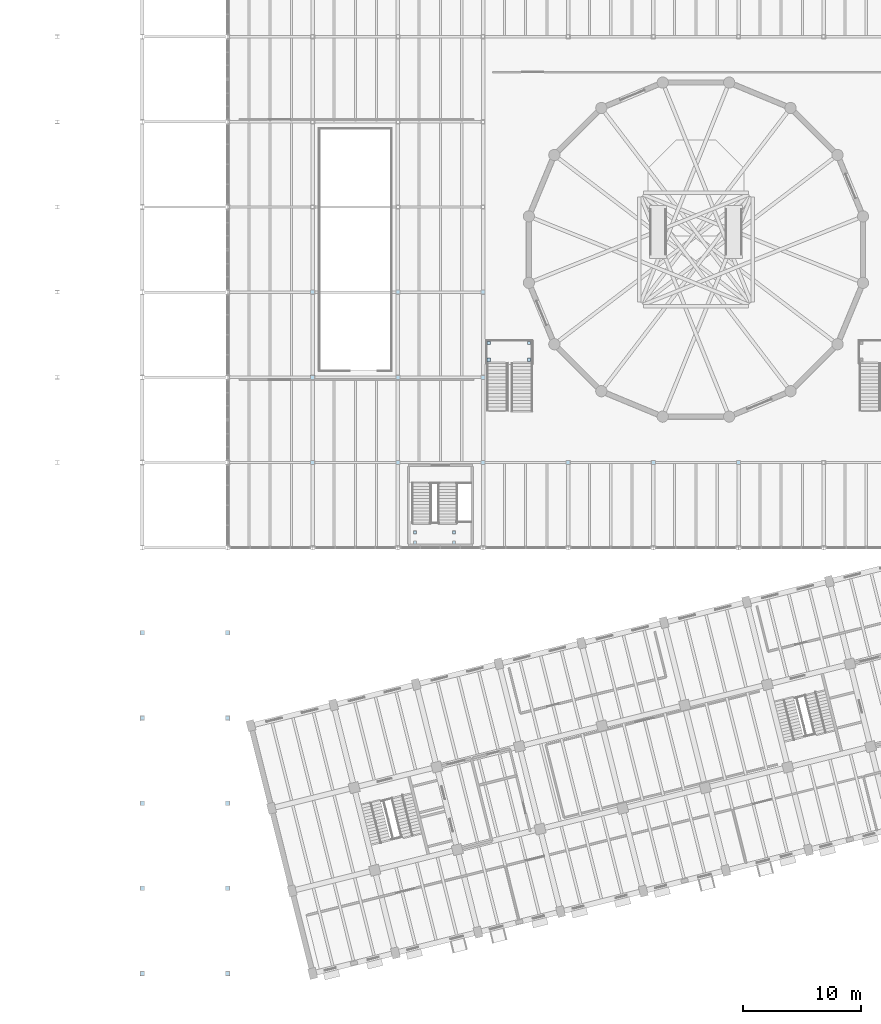
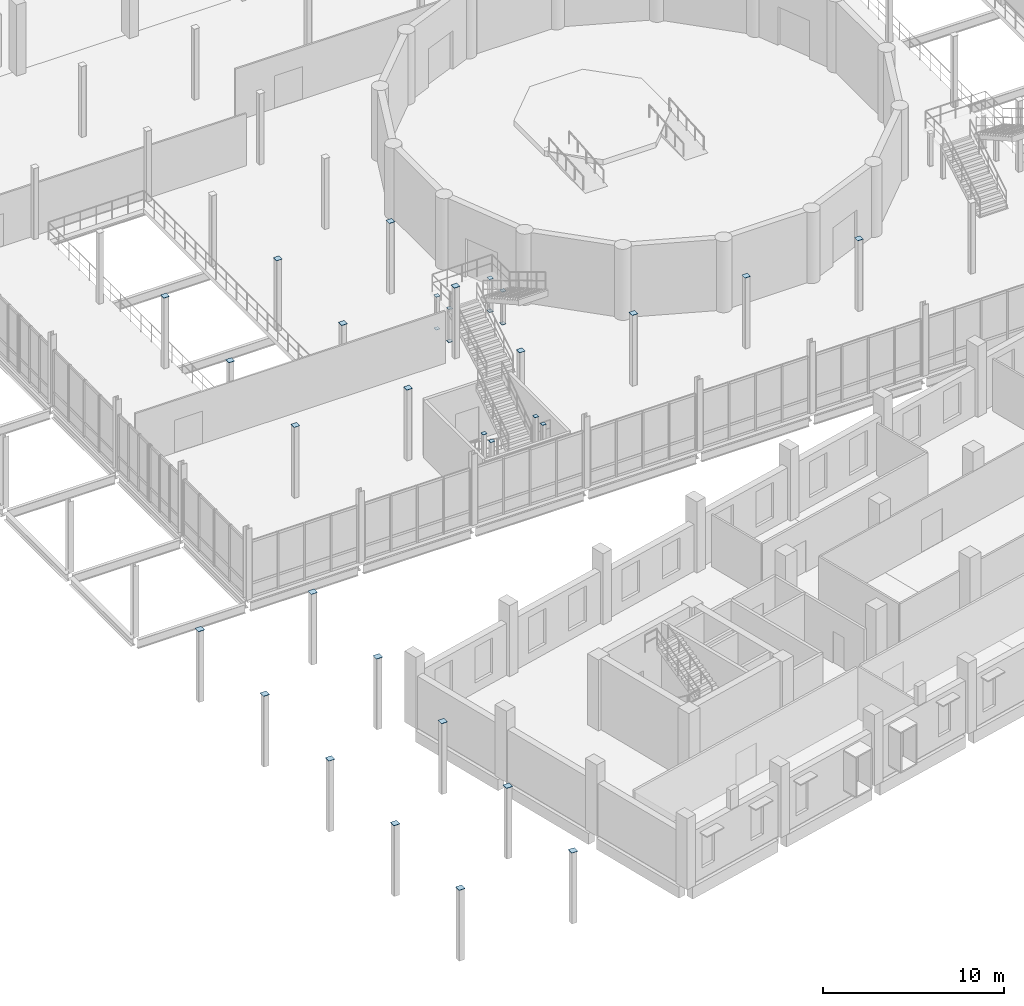
# One storey, part 58 of 77: 34 plates.
"""IFC4 building model written with IfcOpenShell, lengths in metres."""

from ifc_helpers import new_model, si_unit, direction, frame, origin, origin_2d, place, context, subcontext, project, spatial, rectangle, extrude, material, layer, layer_set, type_object, element, save


model = new_model("IFC4")

# Units and contexts
model_context = context("Model", 3, precision=1e-05, world=origin(), true_north=direction((0.0, 1.0)))
body_context = subcontext(model_context, "Body", "Model", "MODEL_VIEW")
ifc_project = project(units=[si_unit("LENGTHUNIT", "METRE"), si_unit("AREAUNIT", "SQUARE_METRE"), si_unit("VOLUMEUNIT", "CUBIC_METRE"), si_unit("PLANEANGLEUNIT", "RADIAN"), si_unit("MASSUNIT", "GRAM", prefix="KILO")], contexts=[model_context])

# Site, building, storey
site_placement = place(None, origin())
site = spatial("IfcSite", under=ifc_project, at=site_placement, CompositionType="ELEMENT")
building_placement = place(site_placement, origin())
building = spatial("IfcBuilding", under=site, at=building_placement, Name="Qiaolan Assembly House", CompositionType="ELEMENT")
storey_placement = place(building_placement, frame((0.0, 0.0, 5.39990234375)))
storey = spatial("IfcBuildingStorey", under=building, at=storey_placement, Name="L01", CompositionType="ELEMENT", Elevation=5.39990234375)

# Plates
ifc_material = material(Name="Steel Q355B", Category="steel")
ifc_layer = layer(ifc_material, 0.02001953125)
ifc_layer_set = layer_set([ifc_layer], Name="Steel Q355B")
plate_type = type_object("IfcPlateType", Name="PLT-CAP-STL-20", PredefinedType="SHEET", material=ifc_layer_set)
for number, where, z_axis, x_axis, name in (
    (1, (36.0, 43.199951171875, 4.7900390625), (0.0, 0.0, 1.0), (1.0, 0.0, 0.0), "NP-04 steel hollow-section seal cap plate 77"),
    (2, (36.0, 50.39990234375, 4.7900390625), (0.0, 0.0, 1.0), (1.0, 0.0, 0.0), "NP-04 steel hollow-section seal cap plate 78"),
    (3, (36.0, 57.60009765625, 4.7900390625), (0.0, 0.0, 1.0), (1.0, 0.0, 0.0), "NP-04 steel hollow-section seal cap plate 79"),
    (4, (43.199951171875, 43.199951171875, 4.7900390625), (0.0, 0.0, 1.0), (1.0, 0.0, 0.0), "NP-04 steel hollow-section seal cap plate 83"),
    (5, (43.199951171875, 50.39990234375, 4.7900390625), (0.0, 0.0, 1.0), (1.0, 0.0, 0.0), "NP-04 steel hollow-section seal cap plate 84"),
    (6, (43.199951171875, 57.60009765625, 4.7900390625), (0.0, 0.0, 1.0), (1.0, 0.0, 0.0), "NP-04 steel hollow-section seal cap plate 85"),
    (7, (50.39990234375, 43.199951171875, 4.7900390625), (0.0, 0.0, 1.0), (1.0, 0.0, 0.0), "NP-04 steel hollow-section seal cap plate 89"),
    (8, (50.39990234375, 50.39990234375, 4.7900390625), (0.0, 0.0, 1.0), (1.0, 0.0, 0.0), "NP-04 steel hollow-section seal cap plate 90"),
    (9, (50.39990234375, 57.60009765625, 4.7900390625), (0.0, 0.0, 1.0), (1.0, 0.0, 0.0), "NP-04 steel hollow-section seal cap plate 91"),
    (10, (57.60009765625, 43.199951171875, 4.7900390625), (0.0, 0.0, 1.0), (1.0, 0.0, 0.0), "NP-04 steel hollow-section seal cap plate 95"),
    (11, (64.800048828125, 43.199951171875, 4.7900390625), (0.0, 0.0, 1.0), (1.0, 0.0, 0.0), "NP-04 steel hollow-section seal cap plate 97"),
    (12, (72.0, 43.199951171875, 4.7900390625), (0.0, 0.0, 1.0), (1.0, 0.0, 0.0), "NP-04 steel hollow-section seal cap plate 99"),
):
    element("IfcPlate", number, at=place(storey_placement, frame(where, z_axis=z_axis, x_axis=x_axis)), inside=storey, type_object=plate_type, Name=name, PredefinedType="SHEET", context=body_context, shape_type="SweptSolid", body=[
        extrude(rectangle(XDim=0.360107421875, YDim=0.360107421875, at=origin_2d()), origin(), (0.0, 0.0, 1.0), 0.02001953125),
    ])
for number, where, z_axis, x_axis, name in (
    (13, (21.60009765625, 0.0, 4.7900390625), (0.0, 0.0, 1.0), (1.0, 0.0, 0.0), "NP-04 steel hollow-section seal cap plate 221"),
    (14, (21.60009765625, 7.199951171875, 4.7900390625), (0.0, 0.0, 1.0), (1.0, 0.0, 0.0), "NP-04 steel hollow-section seal cap plate 222"),
    (15, (21.60009765625, 14.39990234375, 4.7900390625), (0.0, 0.0, 1.0), (1.0, 0.0, 0.0), "NP-04 steel hollow-section seal cap plate 223"),
    (16, (21.60009765625, 21.60009765625, 4.7900390625), (0.0, 0.0, 1.0), (1.0, 0.0, 0.0), "NP-04 steel hollow-section seal cap plate 224"),
    (17, (21.60009765625, 28.800048828125, 4.7900390625), (0.0, 0.0, 1.0), (1.0, 0.0, 0.0), "NP-04 steel hollow-section seal cap plate 225"),
    (18, (28.800048828125, 0.0, 4.7900390625), (0.0, 0.0, 1.0), (1.0, 0.0, 0.0), "NP-04 steel hollow-section seal cap plate 226"),
    (19, (28.800048828125, 7.199951171875, 4.7900390625), (0.0, 0.0, 1.0), (1.0, 0.0, 0.0), "NP-04 steel hollow-section seal cap plate 227"),
    (20, (28.800048828125, 14.39990234375, 4.7900390625), (0.0, 0.0, 1.0), (1.0, 0.0, 0.0), "NP-04 steel hollow-section seal cap plate 228"),
    (21, (28.800048828125, 21.60009765625, 4.7900390625), (0.0, 0.0, 1.0), (1.0, 0.0, 0.0), "NP-04 steel hollow-section seal cap plate 229"),
    (22, (28.800048828125, 28.800048828125, 4.7900390625), (0.0, 0.0, 1.0), (1.0, 0.0, 0.0), "NP-04 steel hollow-section seal cap plate 230"),
):
    element("IfcPlate", number, at=place(storey_placement, frame(where, z_axis=z_axis, x_axis=x_axis)), inside=storey, type_object=plate_type, Name=name, PredefinedType="SHEET", context=body_context, shape_type="SweptSolid", body=[
        extrude(rectangle(XDim=0.389892578125, YDim=0.389892578125, at=origin_2d()), origin(), (0.0, 0.0, 1.0), 0.02001953125),
    ])
for number, where, z_axis, x_axis, name in (
    (23, (50.8798828125, 51.889892578125, -0.010009765625), (0.0, 0.0, 1.0), (1.0, 0.0, 0.0), "NP-04 steel hollow-section seal cap plate 317"),
    (24, (50.8798828125, 51.889892578125, 2.210205078125), (0.0, 0.0, 1.0), (1.0, 0.0, 0.0), "NP-04 steel hollow-section seal cap plate 318"),
    (25, (54.280029296875, 51.889892578125, -0.010009765625), (0.0, 0.0, 1.0), (1.0, 0.0, 0.0), "NP-04 steel hollow-section seal cap plate 321"),
    (26, (54.280029296875, 51.889892578125, 2.210205078125), (0.0, 0.0, 1.0), (1.0, 0.0, 0.0), "NP-04 steel hollow-section seal cap plate 322"),
    (27, (50.8798828125, 53.2900390625, -0.010009765625), (0.0, 0.0, 1.0), (1.0, 0.0, 0.0), "NP-04 steel hollow-section seal cap plate 325"),
    (28, (50.8798828125, 53.2900390625, 2.210205078125), (0.0, 0.0, 1.0), (1.0, 0.0, 0.0), "NP-04 steel hollow-section seal cap plate 326"),
    (29, (54.280029296875, 53.2900390625, -0.010009765625), (0.0, 0.0, 1.0), (1.0, 0.0, 0.0), "NP-04 steel hollow-section seal cap plate 329"),
    (30, (54.280029296875, 53.2900390625, 2.210205078125), (0.0, 0.0, 1.0), (1.0, 0.0, 0.0), "NP-04 steel hollow-section seal cap plate 330"),
    (31, (44.64990234375, 36.449951171875, 4.7900390625), (0.0, 0.0, 1.0), (1.0, 0.0, 0.0), "NP-04 steel hollow-section seal cap plate 351"),
    (32, (47.949951171875, 36.449951171875, 4.7900390625), (0.0, 0.0, 1.0), (1.0, 0.0, 0.0), "NP-04 steel hollow-section seal cap plate 355"),
    (33, (44.64990234375, 37.300048828125, 4.7900390625), (0.0, 0.0, 1.0), (1.0, 0.0, 0.0), "NP-04 steel hollow-section seal cap plate 359"),
    (34, (47.949951171875, 37.300048828125, 4.7900390625), (0.0, 0.0, 1.0), (1.0, 0.0, 0.0), "NP-04 steel hollow-section seal cap plate 363"),
):
    element("IfcPlate", number, at=place(storey_placement, frame(where, z_axis=z_axis, x_axis=x_axis)), inside=storey, type_object=plate_type, Name=name, PredefinedType="SHEET", context=body_context, shape_type="SweptSolid", body=[
        extrude(rectangle(XDim=0.260009765625, YDim=0.260009765625, at=origin_2d()), origin(), (0.0, 0.0, 1.0), 0.02001953125),
    ])

save(model, "model.ifc")
